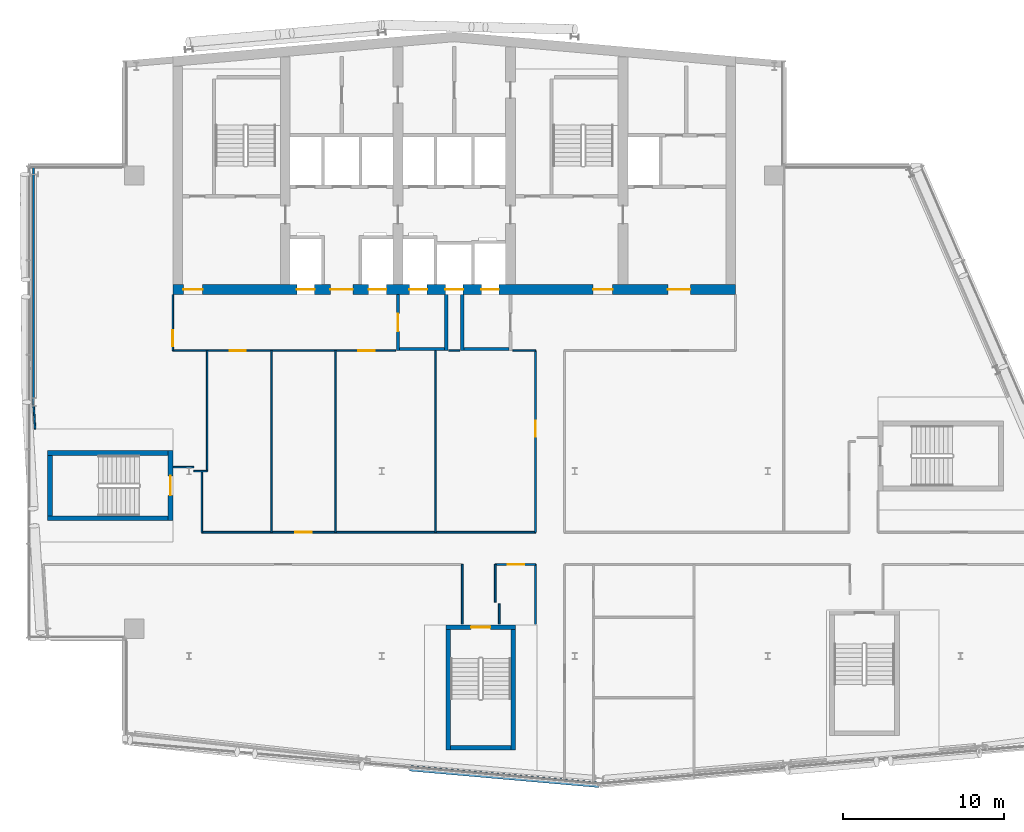
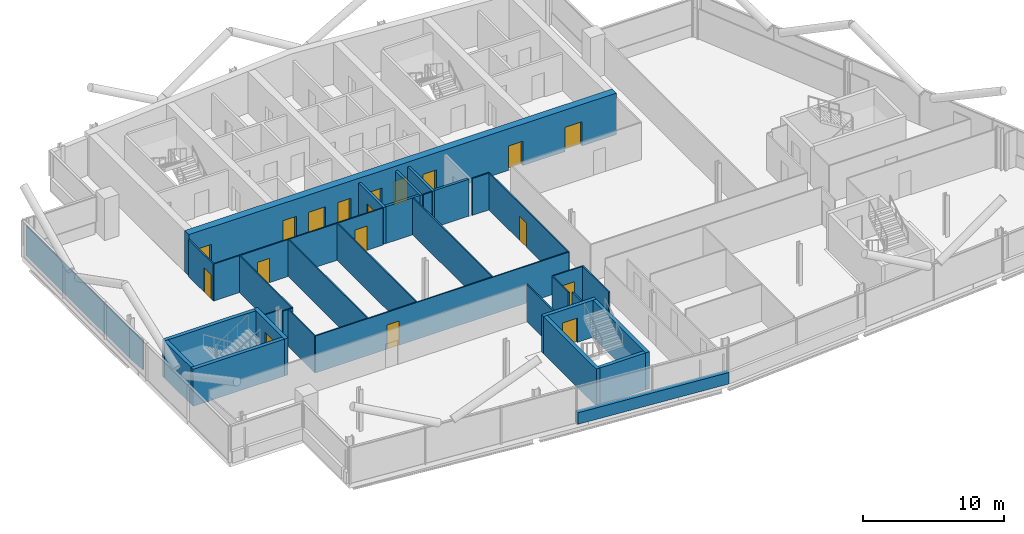
# One storey, part 15 of 26: 35 walls, 18 doors, 18 openings.
"""IFC4 building model written with IfcOpenShell, lengths in metres."""

import ifcopenshell
import ifcopenshell.guid

model = None  # the IFC model being written
_history = None  # IfcOwnerHistory: only IFC2X3 demands one
_inside = {}  # id of a spatial element -> (the spatial element, [elements in it])
_under = {}  # id of a project, library or spatial element -> (it, [spatial elements below it])
_declared = {}  # id of a project -> (the project, [libraries it declares])
_typed = {}  # id of a type object -> (the type object, [elements of that type])
_made_of = {}  # id of a material, layer set ... -> (it, [elements and type objects made of it])


def new_model(schema):
    """Start an empty IFC model of exactly this schema.

    Asked for "IFC4X3", IfcOpenShell would pick the latest addendum, in which some entities
    have other attributes; the version numbers below select the first issue.
    IFC2X3 requires an IfcOwnerHistory on every rooted entity: one is made here for all.
    """
    global model, _history
    if schema == "IFC4X3":
        model = ifcopenshell.file(schema_version=(4, 3, 0, 0))
    else:
        model = ifcopenshell.file(schema=schema)
    _inside.clear()
    _under.clear()
    _declared.clear()
    _typed.clear()
    _made_of.clear()
    _history = None
    if model.schema == "IFC2X3":
        org = make("IfcOrganization", Name="unknown")
        user = make(
            "IfcPersonAndOrganization",
            ThePerson=make("IfcPerson", FamilyName="unknown"),
            TheOrganization=org,
        )
        app = make(
            "IfcApplication",
            ApplicationDeveloper=org,
            Version="unknown",
            ApplicationFullName="unknown",
            ApplicationIdentifier="unknown",
        )
        _history = make(
            "IfcOwnerHistory",
            OwningUser=user,
            OwningApplication=app,
            ChangeAction="ADDED",
            CreationDate=0,
        )
    return model


def make(cls, **values):
    """One entity of the class cls with the attributes given. An attribute that is None is left unset."""
    return model.create_entity(
        cls, **{name: value for name, value in values.items() if value is not None}
    )


def rooted(cls, **values):
    """An entity with a GlobalId (a new one), such as an element, a storey or a relation."""
    return make(cls, GlobalId=ifcopenshell.guid.new(), OwnerHistory=_history, **values)


def si_unit(unit_type, name, prefix=None):
    """IfcSIUnit, for example si_unit("LENGTHUNIT", "METRE", prefix="MILLI")."""
    return make("IfcSIUnit", UnitType=unit_type, Prefix=prefix, Name=name)


def assignment(units):
    """IfcUnitAssignment: the units of a project."""
    return None if units is None else make("IfcUnitAssignment", Units=units)


def point(xyz):
    """IfcCartesianPoint."""
    return None if xyz is None else make("IfcCartesianPoint", Coordinates=xyz)


def direction(xyz):
    """IfcDirection."""
    return None if xyz is None else make("IfcDirection", DirectionRatios=xyz)


def frame(location, z_axis=None, x_axis=None):
    """IfcAxis2Placement3D, a coordinate frame: its origin and axes. An axis left out is left unset."""
    return make(
        "IfcAxis2Placement3D",
        Location=point(location),
        Axis=direction(z_axis),
        RefDirection=direction(x_axis),
    )


def frame_2d(location, x_axis=None):
    """IfcAxis2Placement2D, a coordinate frame in the plane: its origin and x axis."""
    return make(
        "IfcAxis2Placement2D", Location=point(location), RefDirection=direction(x_axis)
    )


def origin():
    """The frame at (0, 0, 0) with its axes left unset."""
    return frame((0.0, 0.0, 0.0))


def place(relative_to, where):
    """IfcLocalPlacement: puts the frame where relative to a parent placement (None: the world)."""
    return make(
        "IfcLocalPlacement", PlacementRelTo=relative_to, RelativePlacement=where
    )


def context(
    kind, dimensions, precision=None, world=None, true_north=None, identifier=None
):
    """IfcGeometricRepresentationContext, for example the 3D "Model" context."""
    return make(
        "IfcGeometricRepresentationContext",
        ContextIdentifier=identifier,
        ContextType=kind,
        CoordinateSpaceDimension=dimensions,
        Precision=precision,
        WorldCoordinateSystem=world,
        TrueNorth=true_north,
    )


def subcontext(parent, identifier, kind, view, scale=None):
    """IfcGeometricRepresentationSubContext, for example "Body" below "Model"."""
    return make(
        "IfcGeometricRepresentationSubContext",
        ContextIdentifier=identifier,
        ContextType=kind,
        ParentContext=parent,
        TargetScale=scale,
        TargetView=view,
    )


def project(units=None, contexts=None):
    """IfcProject with its units and contexts."""
    return rooted(
        "IfcProject",
        Name="project",
        RepresentationContexts=contexts,
        UnitsInContext=assignment(units),
    )


def spatial(cls, under=None, at=None, **own):
    """A site, building, storey or space (cls), placed at a placement, below another one or the project."""
    s = rooted(cls, ObjectPlacement=at, **own)
    if under is not None:
        _under.setdefault(under.id(), (under, []))[1].append(s)
    return s


def profile(cls, at=None, kind="AREA", **sizes):
    """A parametric profile (cls). Its sizes go by their IFC names, for example OverallWidth=200.0."""
    return make(cls, ProfileType=kind, Position=at, **sizes)


def rectangle(**sizes):
    """IfcRectangleProfileDef."""
    return profile("IfcRectangleProfileDef", **sizes)


def extrude(swept, where, along, depth):
    """IfcExtrudedAreaSolid: the profile swept, set in the frame where, extruded along a direction by depth."""
    return make(
        "IfcExtrudedAreaSolid",
        SweptArea=swept,
        Position=where,
        ExtrudedDirection=direction(along),
        Depth=depth,
    )


def shape(context_of_items, identifier, shape_type, items):
    """IfcShapeRepresentation: the items that make up one representation, for example the "Body"."""
    return make(
        "IfcShapeRepresentation",
        ContextOfItems=context_of_items,
        RepresentationIdentifier=identifier,
        RepresentationType=shape_type,
        Items=items,
    )


def material(Name=None, Category=None):
    """IfcMaterial."""
    return make("IfcMaterial", Name=Name, Category=Category)


def layer(
    of_material, thickness, ventilated=None, Name=None, Category=None, Priority=None
):
    """IfcMaterialLayer: one layer of a wall or slab, of a material (None: an air gap)."""
    return make(
        "IfcMaterialLayer",
        Material=of_material,
        LayerThickness=thickness,
        IsVentilated=ventilated,
        Name=Name,
        Category=Category,
        Priority=Priority,
    )


def layer_set(layers, Name=None):
    """IfcMaterialLayerSet."""
    return make("IfcMaterialLayerSet", MaterialLayers=layers, LayerSetName=Name)


def made_of(thing, what):
    """Note that an element or type object is made of a material, layer set ...; save() writes the relation."""
    if what is not None:
        _made_of.setdefault(what.id(), (what, []))[1].append(thing)
    return thing


def type_object(cls, material=None, **own):
    """A type object (cls), such as IfcWallType, which elements share."""
    return made_of(rooted(cls, **own), material)


def element(
    cls,
    number,
    at=None,
    inside=None,
    cuts=None,
    type_object=None,
    material=None,
    context=None,
    identifier="Body",
    shape_type=None,
    held_by="IfcProductDefinitionShape",
    body=None,
    shapes=None,
    **own,
):
    """One element of the class cls, such as IfcWall. Its Tag is "e" and its number.

    at: its placement. inside: the storey or other place that contains it. cuts: it is an
    opening in that element (IfcRelVoidsElement). A single representation is given by context,
    identifier, shape_type and body (its items); several are given by shapes. held_by: the class
    of the entity that holds the representations. save() writes the other relations.
    """
    e = rooted(cls, Tag="e%d" % number, ObjectPlacement=at, **own)
    if body is not None:
        shapes = [shape(context, identifier, shape_type, body)]
    if shapes is not None:
        e.Representation = make(held_by, Representations=shapes)
    if inside is not None:
        _inside.setdefault(inside.id(), (inside, []))[1].append(e)
    if cuts is not None:
        rooted(
            "IfcRelVoidsElement", RelatingBuildingElement=cuts, RelatedOpeningElement=e
        )
    if type_object is not None:
        _typed.setdefault(type_object.id(), (type_object, []))[1].append(e)
    return made_of(e, material)


def fill(opening, filler):
    """IfcRelFillsElement: the door or window that sits in an opening."""
    return rooted(
        "IfcRelFillsElement",
        RelatingOpeningElement=opening,
        RelatedBuildingElement=filler,
    )


def aggregate(whole, parts):
    """IfcRelAggregates: a whole, such as a stair, and the parts it consists of."""
    return rooted("IfcRelAggregates", RelatingObject=whole, RelatedObjects=parts)


def save(model, path):
    """Write the relations noted so far, then the file.

    IfcRelAggregates (storeys below a building ...), IfcRelContainedInSpatialStructure (elements
    in a storey), IfcRelDefinesByType, IfcRelAssociatesMaterial and IfcRelDeclares: one each for
    every whole, place, type object, material and project.
    """
    for whole, parts in _under.values():
        aggregate(whole, parts)
    for where, things in _inside.values():
        rooted(
            "IfcRelContainedInSpatialStructure",
            RelatedElements=things,
            RelatingStructure=where,
        )
    for kind, things in _typed.values():
        rooted("IfcRelDefinesByType", RelatedObjects=things, RelatingType=kind)
    for what, things in _made_of.values():
        rooted("IfcRelAssociatesMaterial", RelatedObjects=things, RelatingMaterial=what)
    for by, libraries in _declared.values():
        rooted("IfcRelDeclares", RelatingContext=by, RelatedDefinitions=libraries)
    model.write(path)


model = new_model("IFC4")

# Units and contexts
model_context = context("Model", 3, precision=1e-05, world=origin(), true_north=direction((0.0, 1.0)))
body_context = subcontext(model_context, "Body", "Model", "MODEL_VIEW")
ifc_project = project(units=[si_unit("LENGTHUNIT", "METRE"), si_unit("AREAUNIT", "SQUARE_METRE"), si_unit("VOLUMEUNIT", "CUBIC_METRE"), si_unit("PLANEANGLEUNIT", "RADIAN"), si_unit("MASSUNIT", "GRAM", prefix="KILO")], contexts=[model_context])

# Site, building, storey
site_placement = place(None, origin())
site = spatial("IfcSite", under=ifc_project, at=site_placement, CompositionType="ELEMENT")
building_placement = place(site_placement, origin())
building = spatial("IfcBuilding", under=site, at=building_placement, Name="Wharfspan Tower", CompositionType="ELEMENT")
storey_placement = place(building_placement, frame((0.0, 0.0, 214.300049)))
storey = spatial("IfcBuildingStorey", under=building, at=storey_placement, Name="L53", CompositionType="ELEMENT", Elevation=214.300049)

# Wall, opening, door
ifc_material_1 = material(Name="Gypsum board on steel studs", Category="steel")
ifc_layer_1 = layer(ifc_material_1, 0.100098)
ifc_layer_set_1 = layer_set([ifc_layer_1], Name="Gypsum board on steel studs")
wall_type_1 = type_object("IfcWallType", Name="Compartment wall 100 EI 60", PredefinedType="PARTITIONING", material=ifc_layer_set_1)
wall_1_placement = place(storey_placement, frame((23.0, 30.5, 0.0), z_axis=(0.0, 0.0, 1.0), x_axis=(0.0, 1.0, 0.0)))
wall_1 = element("IfcWall", 1, at=wall_1_placement, inside=storey, type_object=wall_type_1, Name="Partition L53.w005", PredefinedType="PARTITIONING", context=body_context, shape_type="SweptSolid", body=[
    extrude(rectangle(XDim=3.47998, YDim=0.100098, at=frame_2d((1.73999, 0.0))), origin(), (0.0, 0.0, 1.0), 3.199951),
])
opening_1_placement = place(wall_1_placement, frame((0.280029, 0.0, 0.0)))
opening_1 = element("IfcOpeningElement", 2, at=opening_1_placement, cuts=wall_1, Name="Opening D2-16", PredefinedType="OPENING", context=body_context, shape_type="SweptSolid", body=[
    extrude(rectangle(XDim=1.0, YDim=2.100098, at=frame_2d((0.5, 1.050049))), frame((0.0, 0.060059, 0.0), z_axis=(0.0, -1.0, 0.0), x_axis=(1.0, 0.0, 0.0)), (0.0, 0.0, 1.0), 0.120117),
])
ifc_material_2 = material(Name="Fire-rated timber door leaf in steel frame", Category="steel")
door_type_1 = type_object("IfcDoorType", Name="Door 1000 FD30S Left", OperationType="SINGLE_SWING_LEFT", PredefinedType="DOOR", material=ifc_material_2)
door_1_placement = place(opening_1_placement, origin())
door_1 = element("IfcDoor", 3, at=door_1_placement, inside=storey, type_object=door_type_1, Name="Door D2-16", OperationType="SINGLE_SWING_LEFT", OverallHeight=2.100098, OverallWidth=1.0, PredefinedType="DOOR", context=body_context, shape_type="SweptSolid", body=[
    extrude(rectangle(XDim=1.0, YDim=2.100098, at=frame_2d((0.5, 1.050049))), frame((0.0, 0.024902, 0.0), z_axis=(0.0, -1.0, 0.0), x_axis=(1.0, 0.0, 0.0)), (0.0, 0.0, 1.0), 0.050049),
])
fill(opening_1, door_1)

# Wall, openings, doors
wall_2_placement = place(storey_placement, frame((23.0, 30.5, 0.0), z_axis=(0.0, 0.0, 1.0), x_axis=(1.0, 0.0, 0.0)))
wall_2 = element("IfcWall", 4, at=wall_2_placement, inside=storey, type_object=wall_type_1, Name="Partition L53.w006", PredefinedType="PARTITIONING", context=body_context, shape_type="SweptSolid", body=[
    extrude(rectangle(XDim=13.850098, YDim=0.100098, at=frame_2d((6.925049, 0.0))), origin(), (0.0, 0.0, 1.0), 3.199951),
])
opening_2_placement = place(wall_2_placement, frame((3.544922, 0.0, 0.0)))
opening_2 = element("IfcOpeningElement", 5, at=opening_2_placement, cuts=wall_2, Name="Opening D2-13", PredefinedType="OPENING", context=body_context, shape_type="SweptSolid", body=[
    extrude(rectangle(XDim=1.0, YDim=2.100098, at=frame_2d((0.5, 1.050049))), frame((0.0, 0.060059, 0.0), z_axis=(0.0, -1.0, 0.0), x_axis=(1.0, 0.0, 0.0)), (0.0, 0.0, 1.0), 0.120117),
])
opening_3_placement = place(wall_2_placement, frame((11.544922, 0.0, 0.0)))
opening_3 = element("IfcOpeningElement", 6, at=opening_3_placement, cuts=wall_2, Name="Opening D2-14", PredefinedType="OPENING", context=body_context, shape_type="SweptSolid", body=[
    extrude(rectangle(XDim=1.0, YDim=2.100098, at=frame_2d((0.5, 1.050049))), frame((0.0, 0.060059, 0.0), z_axis=(0.0, -1.0, 0.0), x_axis=(1.0, 0.0, 0.0)), (0.0, 0.0, 1.0), 0.120117),
])
door_2_placement = place(opening_2_placement, origin())
door_2 = element("IfcDoor", 7, at=door_2_placement, inside=storey, type_object=door_type_1, Name="Door D2-13", OperationType="SINGLE_SWING_LEFT", OverallHeight=2.100098, OverallWidth=1.0, PredefinedType="DOOR", context=body_context, shape_type="SweptSolid", body=[
    extrude(rectangle(XDim=1.0, YDim=2.100098, at=frame_2d((0.5, 1.050049))), frame((0.0, 0.024902, 0.0), z_axis=(0.0, -1.0, 0.0), x_axis=(1.0, 0.0, 0.0)), (0.0, 0.0, 1.0), 0.050049),
])
fill(opening_2, door_2)
door_type_2 = type_object("IfcDoorType", Name="Door 1000 FD30S Right", OperationType="SINGLE_SWING_RIGHT", PredefinedType="DOOR", material=ifc_material_2)
door_3_placement = place(opening_3_placement, origin())
door_3 = element("IfcDoor", 8, at=door_3_placement, inside=storey, type_object=door_type_2, Name="Door D2-14", OperationType="SINGLE_SWING_RIGHT", OverallHeight=2.100098, OverallWidth=1.0, PredefinedType="DOOR", context=body_context, shape_type="SweptSolid", body=[
    extrude(rectangle(XDim=1.0, YDim=2.100098, at=frame_2d((0.5, 1.050049))), frame((0.0, 0.024902, 0.0), z_axis=(0.0, -1.0, 0.0), x_axis=(1.0, 0.0, 0.0)), (0.0, 0.0, 1.0), 0.050049),
])
fill(opening_3, door_3)

# Walls
wall_3_placement = place(storey_placement, frame((23.02002, 23.25, 0.0), z_axis=(0.0, 0.0, 1.0), x_axis=(1.0, 0.0, 0.0)))
element("IfcWall", 9, at=wall_3_placement, inside=storey, type_object=wall_type_1, Name="Partition L53.w007", PredefinedType="PARTITIONING", context=body_context, shape_type="SweptSolid", body=[
    extrude(rectangle(XDim=1.280029, YDim=0.100098, at=frame_2d((0.640137, 0.0))), origin(), (0.0, 0.0, 1.0), 3.199951),
])
wall_4_placement = place(storey_placement, frame((24.304932, 23.0, 0.0), z_axis=(0.0, 0.0, 1.0), x_axis=(1.0, 0.0, 0.0)))
element("IfcWall", 10, at=wall_4_placement, inside=storey, type_object=wall_type_1, Name="Partition L53.w008", PredefinedType="PARTITIONING", context=body_context, shape_type="SweptSolid", body=[
    extrude(rectangle(XDim=0.820068, YDim=0.100098, at=frame_2d((0.410156, 0.0))), origin(), (0.0, 0.0, 1.0), 3.199951),
])
wall_5_placement = place(storey_placement, frame((24.800049, 19.199951, 0.0), z_axis=(0.0, 0.0, 1.0), x_axis=(0.0, 1.0, 0.0)))
element("IfcWall", 11, at=wall_5_placement, inside=storey, type_object=wall_type_1, Name="Partition L53.w009", PredefinedType="PARTITIONING", context=body_context, shape_type="SweptSolid", body=[
    extrude(rectangle(XDim=3.800049, YDim=0.100098, at=frame_2d((1.899902, 0.0))), origin(), (0.0, 0.0, 1.0), 3.199951),
])

# Wall, opening, door
wall_6_placement = place(storey_placement, frame((24.800049, 19.199951, 0.0), z_axis=(0.0, 0.0, 1.0), x_axis=(1.0, 0.0, 0.0)))
wall_6 = element("IfcWall", 12, at=wall_6_placement, inside=storey, type_object=wall_type_1, Name="Partition L53.w010", PredefinedType="PARTITIONING", context=body_context, shape_type="SweptSolid", body=[
    extrude(rectangle(XDim=20.76001, YDim=0.100098, at=frame_2d((10.379883, 0.0))), origin(), (0.0, 0.0, 1.0), 3.199951),
])
opening_4_placement = place(wall_6_placement, frame((5.824951, 0.0, 0.0)))
opening_4 = element("IfcOpeningElement", 13, at=opening_4_placement, cuts=wall_6, Name="Opening D2-09", PredefinedType="OPENING", context=body_context, shape_type="SweptSolid", body=[
    extrude(rectangle(XDim=1.0, YDim=2.100098, at=frame_2d((0.5, 1.050049))), frame((0.0, 0.060059, 0.0), z_axis=(0.0, -1.0, 0.0), x_axis=(1.0, 0.0, 0.0)), (0.0, 0.0, 1.0), 0.120117),
])
door_4_placement = place(opening_4_placement, origin())
door_4 = element("IfcDoor", 14, at=door_4_placement, inside=storey, type_object=door_type_1, Name="Door D2-09", OperationType="SINGLE_SWING_LEFT", OverallHeight=2.100098, OverallWidth=1.0, PredefinedType="DOOR", context=body_context, shape_type="SweptSolid", body=[
    extrude(rectangle(XDim=1.0, YDim=2.100098, at=frame_2d((0.5, 1.050049))), frame((0.0, 0.024902, 0.0), z_axis=(0.0, -1.0, 0.0), x_axis=(1.0, 0.0, 0.0)), (0.0, 0.0, 1.0), 0.050049),
])
fill(opening_4, door_4)

# Walls
wall_7_placement = place(storey_placement, frame((25.125, 23.0, 0.0), z_axis=(0.0, 0.0, 1.0), x_axis=(0.0, 1.0, 0.0)))
element("IfcWall", 15, at=wall_7_placement, inside=storey, type_object=wall_type_1, Name="Partition L53.w011", PredefinedType="PARTITIONING", context=body_context, shape_type="SweptSolid", body=[
    extrude(rectangle(XDim=7.5, YDim=0.100098, at=frame_2d((3.75, 0.0))), origin(), (0.0, 0.0, 1.0), 3.199951),
])
for number, where, z_axis, x_axis, name in (
    (16, (29.125, 19.199951, 0.0), (0.0, 0.0, 1.0), (0.0, 1.0, 0.0), "Partition L53.w012"),
    (17, (33.125, 19.199951, 0.0), (0.0, 0.0, 1.0), (0.0, 1.0, 0.0), "Partition L53.w013"),
    (18, (39.344971, 19.199951, 0.0), (0.0, 0.0, 1.0), (0.0, 1.0, 0.0), "Partition L53.w015"),
):
    element("IfcWall", number, at=place(storey_placement, frame(where, z_axis=z_axis, x_axis=x_axis)), inside=storey, type_object=wall_type_1, Name=name, PredefinedType="PARTITIONING", context=body_context, shape_type="SweptSolid", body=[
        extrude(rectangle(XDim=11.300049, YDim=0.100098, at=frame_2d((5.649902, 0.0))), origin(), (0.0, 0.0, 1.0), 3.199951),
    ])
wall_8_placement = place(storey_placement, frame((41.0, 13.463135, 0.0), z_axis=(0.0, 0.0, 1.0), x_axis=(0.0, 1.0, 0.0)))
element("IfcWall", 19, at=wall_8_placement, inside=storey, type_object=wall_type_1, Name="Partition L53.w016", PredefinedType="PARTITIONING", context=body_context, shape_type="SweptSolid", body=[
    extrude(rectangle(XDim=3.731934, YDim=0.100098, at=frame_2d((1.865967, 0.0))), origin(), (0.0, 0.0, 1.0), 3.199951),
])
wall_9_placement = place(storey_placement, frame((43.054932, 14.860107, 0.0), z_axis=(0.0, 0.0, 1.0), x_axis=(0.0, 1.0, 0.0)))
element("IfcWall", 20, at=wall_9_placement, inside=storey, type_object=wall_type_1, Name="Partition L53.w017", PredefinedType="PARTITIONING", context=body_context, shape_type="SweptSolid", body=[
    extrude(rectangle(XDim=2.334961, YDim=0.100098, at=frame_2d((1.16748, 0.0))), origin(), (0.0, 0.0, 1.0), 3.199951),
])

# Wall, opening, door
wall_10_placement = place(storey_placement, frame((43.054932, 17.195068, 0.0), z_axis=(0.0, 0.0, 1.0), x_axis=(1.0, 0.0, 0.0)))
wall_10 = element("IfcWall", 21, at=wall_10_placement, inside=storey, type_object=wall_type_1, Name="Partition L53.w018", PredefinedType="PARTITIONING", context=body_context, shape_type="SweptSolid", body=[
    extrude(rectangle(XDim=2.505127, YDim=0.100098, at=frame_2d((1.252441, 0.0))), origin(), (0.0, 0.0, 1.0), 3.199951),
])
opening_5_placement = place(wall_10_placement, frame((0.789307, 0.0, 0.0)))
opening_5 = element("IfcOpeningElement", 22, at=opening_5_placement, cuts=wall_10, Name="Opening D2-07", PredefinedType="OPENING", context=body_context, shape_type="SweptSolid", body=[
    extrude(rectangle(XDim=1.0, YDim=2.100098, at=frame_2d((0.5, 1.050049))), frame((0.0, 0.060059, 0.0), z_axis=(0.0, -1.0, 0.0), x_axis=(1.0, 0.0, 0.0)), (0.0, 0.0, 1.0), 0.120117),
])
door_5_placement = place(opening_5_placement, origin())
door_5 = element("IfcDoor", 23, at=door_5_placement, inside=storey, type_object=door_type_2, Name="Door D2-07", OperationType="SINGLE_SWING_RIGHT", OverallHeight=2.100098, OverallWidth=1.0, PredefinedType="DOOR", context=body_context, shape_type="SweptSolid", body=[
    extrude(rectangle(XDim=1.0, YDim=2.100098, at=frame_2d((0.5, 1.050049))), frame((0.0, 0.024902, 0.0), z_axis=(0.0, -1.0, 0.0), x_axis=(1.0, 0.0, 0.0)), (0.0, 0.0, 1.0), 0.050049),
])
fill(opening_5, door_5)

# Walls
wall_11_placement = place(storey_placement, frame((43.304932, 13.463135, 0.0), z_axis=(0.0, 0.0, 1.0), x_axis=(0.0, 1.0, 0.0)))
element("IfcWall", 24, at=wall_11_placement, inside=storey, type_object=wall_type_1, Name="Partition L53.w019", PredefinedType="PARTITIONING", context=body_context, shape_type="SweptSolid", body=[
    extrude(rectangle(XDim=1.281982, YDim=0.100098, at=frame_2d((0.641113, 0.0))), origin(), (0.0, 0.0, 1.0), 3.199951),
])
wall_12_placement = place(storey_placement, frame((45.560059, 13.463135, 0.0), z_axis=(0.0, 0.0, 1.0), x_axis=(0.0, 1.0, 0.0)))
element("IfcWall", 25, at=wall_12_placement, inside=storey, type_object=wall_type_1, Name="Partition L53.w020", PredefinedType="PARTITIONING", context=body_context, shape_type="SweptSolid", body=[
    extrude(rectangle(XDim=3.731934, YDim=0.100098, at=frame_2d((1.865967, 0.0))), origin(), (0.0, 0.0, 1.0), 3.199951),
])

# Wall, opening, door
wall_13_placement = place(storey_placement, frame((45.560059, 19.199951, 0.0), z_axis=(0.0, 0.0, 1.0), x_axis=(0.0, 1.0, 0.0)))
wall_13 = element("IfcWall", 26, at=wall_13_placement, inside=storey, type_object=wall_type_1, Name="Partition L53.w021", PredefinedType="PARTITIONING", context=body_context, shape_type="SweptSolid", body=[
    extrude(rectangle(XDim=11.300049, YDim=0.100098, at=frame_2d((5.649902, 0.0))), origin(), (0.0, 0.0, 1.0), 3.199951),
])
opening_6_placement = place(wall_13_placement, frame((5.939941, 0.0, 0.0)))
opening_6 = element("IfcOpeningElement", 27, at=opening_6_placement, cuts=wall_13, Name="Opening D2-12", PredefinedType="OPENING", context=body_context, shape_type="SweptSolid", body=[
    extrude(rectangle(XDim=1.0, YDim=2.100098, at=frame_2d((0.5, 1.050049))), frame((0.0, 0.060059, 0.0), z_axis=(0.0, -1.0, 0.0), x_axis=(1.0, 0.0, 0.0)), (0.0, 0.0, 1.0), 0.120117),
])
door_6_placement = place(opening_6_placement, origin())
door_6 = element("IfcDoor", 28, at=door_6_placement, inside=storey, type_object=door_type_2, Name="Door D2-12", OperationType="SINGLE_SWING_RIGHT", OverallHeight=2.100098, OverallWidth=1.0, PredefinedType="DOOR", context=body_context, shape_type="SweptSolid", body=[
    extrude(rectangle(XDim=1.0, YDim=2.100098, at=frame_2d((0.5, 1.050049))), frame((0.0, 0.024902, 0.0), z_axis=(0.0, -1.0, 0.0), x_axis=(1.0, 0.0, 0.0)), (0.0, 0.0, 1.0), 0.050049),
])
fill(opening_6, door_6)

# Walls
wall_14_placement = place(storey_placement, frame((40.149902, 30.5, 0.0), z_axis=(0.0, 0.0, 1.0), x_axis=(1.0, 0.0, 0.0)))
element("IfcWall", 29, at=wall_14_placement, inside=storey, type_object=wall_type_1, Name="Partition L53.w006 (2)", PredefinedType="PARTITIONING", context=body_context, shape_type="SweptSolid", body=[
    extrude(rectangle(XDim=0.700195, YDim=0.100098, at=frame_2d((0.350098, 0.0))), origin(), (0.0, 0.0, 1.0), 3.199951),
])
wall_15_placement = place(storey_placement, frame((44.149902, 30.5, 0.0), z_axis=(0.0, 0.0, 1.0), x_axis=(1.0, 0.0, 0.0)))
element("IfcWall", 30, at=wall_15_placement, inside=storey, type_object=wall_type_1, Name="Partition L53.w006 (3)", PredefinedType="PARTITIONING", context=body_context, shape_type="SweptSolid", body=[
    extrude(rectangle(XDim=1.410156, YDim=0.100098, at=frame_2d((0.705078, 0.0))), origin(), (0.0, 0.0, 1.0), 3.199951),
])

# Wall, openings, doors
ifc_material_3 = material(Name="Concrete C50/60", Category="concrete")
ifc_layer_2 = layer(ifc_material_3, 0.600098)
ifc_layer_set_2 = layer_set([ifc_layer_2], Name="Concrete C50/60")
wall_type_2 = type_object("IfcWallType", Name="Core wall 600 C50/60", PredefinedType="SHEAR", material=ifc_layer_set_2)
wall_16_placement = place(storey_placement, frame((23.0, 34.300049, 0.0), z_axis=(0.0, 0.0, 1.0), x_axis=(1.0, 0.0, 0.0)))
wall_16 = element("IfcWall", 31, at=wall_16_placement, inside=storey, type_object=wall_type_2, Name="Core front wall L53", PredefinedType="SHEAR", context=body_context, shape_type="SweptSolid", body=[
    extrude(rectangle(XDim=35.0, YDim=0.600098, at=frame_2d((17.5, 0.0))), origin(), (0.0, 0.0, 1.0), 3.599854),
])
opening_7_placement = place(wall_16_placement, frame((0.649902, 0.0, 0.0)))
opening_7 = element("IfcOpeningElement", 32, at=opening_7_placement, cuts=wall_16, Name="Opening SV2.L53", PredefinedType="OPENING", context=body_context, shape_type="SweptSolid", body=[
    extrude(rectangle(XDim=1.199951, YDim=2.100098, at=frame_2d((0.600098, 1.050049))), frame((0.0, 0.310059, 0.0), z_axis=(0.0, -1.0, 0.0), x_axis=(1.0, 0.0, 0.0)), (0.0, 0.0, 1.0), 0.620117),
])
opening_8_placement = place(wall_16_placement, frame((7.716797, 0.0, 0.0)))
opening_8 = element("IfcOpeningElement", 33, at=opening_8_placement, cuts=wall_16, Name="Opening LD.SL1.L53", PredefinedType="OPENING", context=body_context, shape_type="SweptSolid", body=[
    extrude(rectangle(XDim=1.100098, YDim=2.100098, at=frame_2d((0.550049, 1.050049))), frame((0.0, 0.310059, 0.0), z_axis=(0.0, -1.0, 0.0), x_axis=(1.0, 0.0, 0.0)), (0.0, 0.0, 1.0), 0.620117),
])
opening_9_placement = place(wall_16_placement, frame((12.18335, 0.0, 0.0)))
opening_9 = element("IfcOpeningElement", 34, at=opening_9_placement, cuts=wall_16, Name="Opening LD.SL2.L53", PredefinedType="OPENING", context=body_context, shape_type="SweptSolid", body=[
    extrude(rectangle(XDim=1.100098, YDim=2.100098, at=frame_2d((0.550049, 1.050049))), frame((0.0, 0.310059, 0.0), z_axis=(0.0, -1.0, 0.0), x_axis=(1.0, 0.0, 0.0)), (0.0, 0.0, 1.0), 0.620117),
])
opening_10_placement = place(wall_16_placement, frame((9.800049, 0.0, 0.0)))
opening_10 = element("IfcOpeningElement", 35, at=opening_10_placement, cuts=wall_16, Name="Opening HD53.3", PredefinedType="OPENING", context=body_context, shape_type="SweptSolid", body=[
    extrude(rectangle(XDim=1.399902, YDim=2.100098, at=frame_2d((0.699951, 1.050049))), frame((0.0, 0.310059, 0.0), z_axis=(0.0, -1.0, 0.0), x_axis=(1.0, 0.0, 0.0)), (0.0, 0.0, 1.0), 0.620117),
])
opening_11_placement = place(wall_16_placement, frame((14.716797, 0.0, 0.0)))
opening_11 = element("IfcOpeningElement", 36, at=opening_11_placement, cuts=wall_16, Name="Opening LD.FF1.L53", PredefinedType="OPENING", context=body_context, shape_type="SweptSolid", body=[
    extrude(rectangle(XDim=1.100098, YDim=2.100098, at=frame_2d((0.550049, 1.050049))), frame((0.0, 0.310059, 0.0), z_axis=(0.0, -1.0, 0.0), x_axis=(1.0, 0.0, 0.0)), (0.0, 0.0, 1.0), 0.620117),
])
opening_12_placement = place(wall_16_placement, frame((16.949951, 0.0, 0.0)))
opening_12 = element("IfcOpeningElement", 37, at=opening_12_placement, cuts=wall_16, Name="Opening LD.LB7.L53", PredefinedType="OPENING", context=body_context, shape_type="SweptSolid", body=[
    extrude(rectangle(XDim=1.100098, YDim=2.100098, at=frame_2d((0.550049, 1.050049))), frame((0.0, 0.310059, 0.0), z_axis=(0.0, -1.0, 0.0), x_axis=(1.0, 0.0, 0.0)), (0.0, 0.0, 1.0), 0.620117),
])
opening_13_placement = place(wall_16_placement, frame((19.18335, 0.0, 0.0)))
opening_13 = element("IfcOpeningElement", 38, at=opening_13_placement, cuts=wall_16, Name="Opening LD.FF2.L53", PredefinedType="OPENING", context=body_context, shape_type="SweptSolid", body=[
    extrude(rectangle(XDim=1.100098, YDim=2.100098, at=frame_2d((0.550049, 1.050049))), frame((0.0, 0.310059, 0.0), z_axis=(0.0, -1.0, 0.0), x_axis=(1.0, 0.0, 0.0)), (0.0, 0.0, 1.0), 0.620117),
])
opening_14_placement = place(wall_16_placement, frame((26.149902, 0.0, 0.0)))
opening_14 = element("IfcOpeningElement", 39, at=opening_14_placement, cuts=wall_16, Name="Opening SV5.L53", PredefinedType="OPENING", context=body_context, shape_type="SweptSolid", body=[
    extrude(rectangle(XDim=1.199951, YDim=2.100098, at=frame_2d((0.600098, 1.050049))), frame((0.0, 0.310059, 0.0), z_axis=(0.0, -1.0, 0.0), x_axis=(1.0, 0.0, 0.0)), (0.0, 0.0, 1.0), 0.620117),
])
opening_15_placement = place(wall_16_placement, frame((30.800049, 0.0, 0.0)))
opening_15 = element("IfcOpeningElement", 40, at=opening_15_placement, cuts=wall_16, Name="Opening HD53.6", PredefinedType="OPENING", context=body_context, shape_type="SweptSolid", body=[
    extrude(rectangle(XDim=1.399902, YDim=2.100098, at=frame_2d((0.699951, 1.050049))), frame((0.0, 0.310059, 0.0), z_axis=(0.0, -1.0, 0.0), x_axis=(1.0, 0.0, 0.0)), (0.0, 0.0, 1.0), 0.620117),
])
ifc_material_4 = material(Name="Steel door leaf", Category="steel")
door_type_3 = type_object("IfcDoorType", Name="Hall entry door 1400x2100", OperationType="DOUBLE_DOOR_SINGLE_SWING", PredefinedType="DOOR", material=ifc_material_4)
door_7_placement = place(opening_10_placement, origin())
door_7 = element("IfcDoor", 41, at=door_7_placement, inside=storey, type_object=door_type_3, Name="d:L53:3:hd3", OperationType="DOUBLE_DOOR_SINGLE_SWING", OverallHeight=2.100098, OverallWidth=1.399902, PredefinedType="DOOR", context=body_context, shape_type="SweptSolid", body=[
    extrude(rectangle(XDim=1.399902, YDim=2.100098, at=frame_2d((0.699951, 1.050049))), frame((0.0, 0.024902, 0.0), z_axis=(0.0, -1.0, 0.0), x_axis=(1.0, 0.0, 0.0)), (0.0, 0.0, 1.0), 0.050049),
])
fill(opening_10, door_7)
door_8_placement = place(opening_15_placement, origin())
door_8 = element("IfcDoor", 42, at=door_8_placement, inside=storey, type_object=door_type_3, Name="d:L53:6:hd6", OperationType="DOUBLE_DOOR_SINGLE_SWING", OverallHeight=2.100098, OverallWidth=1.399902, PredefinedType="DOOR", context=body_context, shape_type="SweptSolid", body=[
    extrude(rectangle(XDim=1.399902, YDim=2.100098, at=frame_2d((0.699951, 1.050049))), frame((0.0, 0.024902, 0.0), z_axis=(0.0, -1.0, 0.0), x_axis=(1.0, 0.0, 0.0)), (0.0, 0.0, 1.0), 0.050049),
])
fill(opening_15, door_8)
ifc_material_5 = material(Name="Stainless steel", Category="steel")
door_type_4 = type_object("IfcDoorType", Name="Lift landing door 1100x2100", OperationType="DOUBLE_DOOR_SLIDING", PredefinedType="DOOR", material=ifc_material_5)
door_9_placement = place(opening_8_placement, origin())
door_9 = element("IfcDoor", 43, at=door_9_placement, inside=storey, type_object=door_type_4, Name="Landing door SL1 L53", OperationType="DOUBLE_DOOR_SLIDING", OverallHeight=2.100098, OverallWidth=1.100098, PredefinedType="DOOR", context=body_context, shape_type="SweptSolid", body=[
    extrude(rectangle(XDim=1.100098, YDim=2.100098, at=frame_2d((0.550049, 1.050049))), frame((0.0, 0.024902, 0.0), z_axis=(0.0, -1.0, 0.0), x_axis=(1.0, 0.0, 0.0)), (0.0, 0.0, 1.0), 0.050049),
])
fill(opening_8, door_9)
door_10_placement = place(opening_9_placement, origin())
door_10 = element("IfcDoor", 44, at=door_10_placement, inside=storey, type_object=door_type_4, Name="Landing door SL2 L53", OperationType="DOUBLE_DOOR_SLIDING", OverallHeight=2.100098, OverallWidth=1.100098, PredefinedType="DOOR", context=body_context, shape_type="SweptSolid", body=[
    extrude(rectangle(XDim=1.100098, YDim=2.100098, at=frame_2d((0.550049, 1.050049))), frame((0.0, 0.024902, 0.0), z_axis=(0.0, -1.0, 0.0), x_axis=(1.0, 0.0, 0.0)), (0.0, 0.0, 1.0), 0.050049),
])
fill(opening_9, door_10)
door_11_placement = place(opening_11_placement, origin())
door_11 = element("IfcDoor", 45, at=door_11_placement, inside=storey, type_object=door_type_4, Name="Landing door FF1 L53", OperationType="DOUBLE_DOOR_SLIDING", OverallHeight=2.100098, OverallWidth=1.100098, PredefinedType="DOOR", context=body_context, shape_type="SweptSolid", body=[
    extrude(rectangle(XDim=1.100098, YDim=2.100098, at=frame_2d((0.550049, 1.050049))), frame((0.0, 0.024902, 0.0), z_axis=(0.0, -1.0, 0.0), x_axis=(1.0, 0.0, 0.0)), (0.0, 0.0, 1.0), 0.050049),
])
fill(opening_11, door_11)
door_12_placement = place(opening_12_placement, origin())
door_12 = element("IfcDoor", 46, at=door_12_placement, inside=storey, type_object=door_type_4, Name="Landing door LB7 L53", OperationType="DOUBLE_DOOR_SLIDING", OverallHeight=2.100098, OverallWidth=1.100098, PredefinedType="DOOR", context=body_context, shape_type="SweptSolid", body=[
    extrude(rectangle(XDim=1.100098, YDim=2.100098, at=frame_2d((0.550049, 1.050049))), frame((0.0, 0.024902, 0.0), z_axis=(0.0, -1.0, 0.0), x_axis=(1.0, 0.0, 0.0)), (0.0, 0.0, 1.0), 0.050049),
])
fill(opening_12, door_12)
door_13_placement = place(opening_13_placement, origin())
door_13 = element("IfcDoor", 47, at=door_13_placement, inside=storey, type_object=door_type_4, Name="Landing door FF2 L53", OperationType="DOUBLE_DOOR_SLIDING", OverallHeight=2.100098, OverallWidth=1.100098, PredefinedType="DOOR", context=body_context, shape_type="SweptSolid", body=[
    extrude(rectangle(XDim=1.100098, YDim=2.100098, at=frame_2d((0.550049, 1.050049))), frame((0.0, 0.024902, 0.0), z_axis=(0.0, -1.0, 0.0), x_axis=(1.0, 0.0, 0.0)), (0.0, 0.0, 1.0), 0.050049),
])
fill(opening_13, door_13)
door_type_5 = type_object("IfcDoorType", Name="Stair door 1200x2100", OperationType="SINGLE_SWING_LEFT", PredefinedType="DOOR", material=ifc_material_4)
door_14_placement = place(opening_7_placement, origin())
door_14 = element("IfcDoor", 48, at=door_14_placement, inside=storey, type_object=door_type_5, Name="vd:L53:2", OperationType="SINGLE_SWING_LEFT", OverallHeight=2.100098, OverallWidth=1.199951, PredefinedType="DOOR", context=body_context, shape_type="SweptSolid", body=[
    extrude(rectangle(XDim=1.199951, YDim=2.100098, at=frame_2d((0.600098, 1.050049))), frame((0.0, 0.024902, 0.0), z_axis=(0.0, -1.0, 0.0), x_axis=(1.0, 0.0, 0.0)), (0.0, 0.0, 1.0), 0.050049),
])
fill(opening_7, door_14)
door_15_placement = place(opening_14_placement, origin())
door_15 = element("IfcDoor", 49, at=door_15_placement, inside=storey, type_object=door_type_5, Name="vd:L53:5", OperationType="SINGLE_SWING_LEFT", OverallHeight=2.100098, OverallWidth=1.199951, PredefinedType="DOOR", context=body_context, shape_type="SweptSolid", body=[
    extrude(rectangle(XDim=1.199951, YDim=2.100098, at=frame_2d((0.600098, 1.050049))), frame((0.0, 0.024902, 0.0), z_axis=(0.0, -1.0, 0.0), x_axis=(1.0, 0.0, 0.0)), (0.0, 0.0, 1.0), 0.050049),
])
fill(opening_14, door_15)

# Wall, opening, door
ifc_material_6 = material(Name="Concrete C30/37", Category="concrete")
ifc_layer_3 = layer(ifc_material_6, 0.199951)
ifc_layer_set_3 = layer_set([ifc_layer_3], Name="Concrete C30/37")
wall_type_3 = type_object("IfcWallType", Name="Lobby wall 200", PredefinedType="PARTITIONING", material=ifc_layer_set_3)
wall_17_placement = place(storey_placement, frame((37.0, 30.5, 0.0), z_axis=(0.0, 0.0, 1.0), x_axis=(0.0, 1.0, 0.0)))
wall_17 = element("IfcWall", 50, at=wall_17_placement, inside=storey, type_object=wall_type_3, Name="sw:L53:FLFF1W", PredefinedType="PARTITIONING", context=body_context, shape_type="SweptSolid", body=[
    extrude(rectangle(XDim=3.5, YDim=0.199951, at=frame_2d((1.75, 0.0))), origin(), (0.0, 0.0, 1.0), 3.199951),
])
opening_16_placement = place(wall_17_placement, frame((1.199951, 0.0, 0.0)))
opening_16 = element("IfcOpeningElement", 51, at=opening_16_placement, cuts=wall_17, Name="Opening FL.FF1.L53", PredefinedType="OPENING", context=body_context, shape_type="SweptSolid", body=[
    extrude(rectangle(XDim=1.100098, YDim=2.100098, at=frame_2d((0.550049, 1.050049))), frame((0.0, 0.109863, 0.0), z_axis=(0.0, -1.0, 0.0), x_axis=(1.0, 0.0, 0.0)), (0.0, 0.0, 1.0), 0.219971),
])
door_type_6 = type_object("IfcDoorType", Name="Firefighting lobby door 1100x2100", OperationType="SINGLE_SWING_LEFT", PredefinedType="DOOR", material=ifc_material_4)
door_16_placement = place(opening_16_placement, origin())
door_16 = element("IfcDoor", 52, at=door_16_placement, inside=storey, type_object=door_type_6, Name="fd:L53:FF1", OperationType="SINGLE_SWING_LEFT", OverallHeight=2.100098, OverallWidth=1.100098, PredefinedType="DOOR", context=body_context, shape_type="SweptSolid", body=[
    extrude(rectangle(XDim=1.100098, YDim=2.100098, at=frame_2d((0.550049, 1.050049))), frame((0.0, 0.024902, 0.0), z_axis=(0.0, -1.0, 0.0), x_axis=(1.0, 0.0, 0.0)), (0.0, 0.0, 1.0), 0.050049),
])
fill(opening_16, door_16)

# Walls
wall_18_placement = place(storey_placement, frame((40.0, 30.5, 0.0), z_axis=(0.0, 0.0, 1.0), x_axis=(0.0, 1.0, 0.0)))
element("IfcWall", 53, at=wall_18_placement, inside=storey, type_object=wall_type_3, Name="sw:L53:FLFF1E", PredefinedType="PARTITIONING", context=body_context, shape_type="SweptSolid", body=[
    extrude(rectangle(XDim=3.5, YDim=0.199951, at=frame_2d((1.75, 0.0))), origin(), (0.0, 0.0, 1.0), 3.199951),
])
wall_19_placement = place(storey_placement, frame((37.100098, 30.600098, 0.0), z_axis=(0.0, 0.0, 1.0), x_axis=(1.0, 0.0, 0.0)))
element("IfcWall", 54, at=wall_19_placement, inside=storey, type_object=wall_type_3, Name="sw:L53:FLFF1F", PredefinedType="PARTITIONING", context=body_context, shape_type="SweptSolid", body=[
    extrude(rectangle(XDim=2.799805, YDim=0.199951, at=frame_2d((1.399902, 0.0))), origin(), (0.0, 0.0, 1.0), 3.199951),
])
wall_20_placement = place(storey_placement, frame((41.0, 30.5, 0.0), z_axis=(0.0, 0.0, 1.0), x_axis=(0.0, 1.0, 0.0)))
element("IfcWall", 55, at=wall_20_placement, inside=storey, type_object=wall_type_3, Name="sw:L53:FLFF2W", PredefinedType="PARTITIONING", context=body_context, shape_type="SweptSolid", body=[
    extrude(rectangle(XDim=3.5, YDim=0.199951, at=frame_2d((1.75, 0.0))), origin(), (0.0, 0.0, 1.0), 3.199951),
])
wall_21_placement = place(storey_placement, frame((41.100098, 30.600098, 0.0), z_axis=(0.0, 0.0, 1.0), x_axis=(1.0, 0.0, 0.0)))
element("IfcWall", 56, at=wall_21_placement, inside=storey, type_object=wall_type_3, Name="sw:L53:FLFF2F", PredefinedType="PARTITIONING", context=body_context, shape_type="SweptSolid", body=[
    extrude(rectangle(XDim=2.799805, YDim=0.199951, at=frame_2d((1.399902, 0.0))), origin(), (0.0, 0.0, 1.0), 3.199951),
])
ifc_layer_4 = layer(ifc_material_1, 0.100098)
ifc_layer_set_4 = layer_set([ifc_layer_4], Name="Gypsum board on steel studs")
wall_type_4 = type_object("IfcWallType", Name="Partition 100", PredefinedType="PARTITIONING", material=ifc_layer_set_4)
wall_22_placement = place(storey_placement, frame((14.324951, 27.300049, 0.0), z_axis=(0.0, 0.0, 1.0), x_axis=(0.0, 1.0, 0.0)))
element("IfcWall", 57, at=wall_22_placement, inside=storey, type_object=wall_type_4, Name="Partition L53.w001", PredefinedType="PARTITIONING", context=body_context, shape_type="SweptSolid", body=[
    extrude(rectangle(XDim=14.679932, YDim=0.100098, at=frame_2d((7.339844, 0.0))), origin(), (0.0, 0.0, 1.0), 2.579834),
])
wall_23_placement = place(storey_placement, frame((14.428711, 25.620117, 0.0), z_axis=(0.0, 0.0, 1.0), x_axis=(-0.061647, 0.998101, 0.0)))
element("IfcWall", 58, at=wall_23_placement, inside=storey, type_object=wall_type_4, Name="Partition L53.w002", PredefinedType="PARTITIONING", context=body_context, shape_type="SweptSolid", body=[
    extrude(rectangle(XDim=1.683105, YDim=0.100098, at=frame_2d((0.841553, 0.0))), origin(), (0.0, 0.0, 1.0), 2.579834),
])
ifc_material_7 = material(Name="Concrete C40/50", Category="concrete")
ifc_layer_5 = layer(ifc_material_7, 0.350098)
ifc_layer_set_5 = layer_set([ifc_layer_5], Name="Concrete C40/50")
wall_type_5 = type_object("IfcWallType", Name="SPANDREL EXPOSED CONCRETE 350", PredefinedType="SOLIDWALL", material=ifc_layer_set_5)
wall_24_placement = place(storey_placement, frame((37.729492, 4.519043, 0.0), z_axis=(0.0, 0.0, 1.0), x_axis=(0.99619, -0.087167, 0.0)))
element("IfcWall", 59, at=wall_24_placement, inside=storey, type_object=wall_type_5, Name="Spandrel upstand L53 S1", PredefinedType="SOLIDWALL", context=body_context, shape_type="SweptSolid", body=[
    extrude(rectangle(XDim=11.830566, YDim=0.350098, at=frame_2d((5.915283, 0.0))), origin(), (0.0, 0.0, 1.0), 1.0),
])

# Wall, opening, door
ifc_layer_6 = layer(ifc_material_7, 0.300049)
ifc_layer_set_6 = layer_set([ifc_layer_6], Name="Concrete C40/50")
wall_type_6 = type_object("IfcWallType", Name="Stair core wall 300", PredefinedType="SHEAR", material=ifc_layer_set_6)
wall_25_placement = place(storey_placement, frame((22.850098, 19.925049, 0.0), z_axis=(0.0, 0.0, 1.0), x_axis=(0.0, 1.0, 0.0)))
wall_25 = element("IfcWall", 60, at=wall_25_placement, inside=storey, type_object=wall_type_6, Name="ST3 stair enclosure wall L53", PredefinedType="SHEAR", context=body_context, shape_type="SweptSolid", body=[
    extrude(rectangle(XDim=4.349854, YDim=0.300049, at=frame_2d((2.174805, 0.0))), origin(), (0.0, 0.0, 1.0), 3.199951),
])
opening_17_placement = place(wall_25_placement, frame((1.574951, 0.0, 0.0)))
opening_17 = element("IfcOpeningElement", 61, at=opening_17_placement, cuts=wall_25, Name="Opening SD3.L53", PredefinedType="OPENING", context=body_context, shape_type="SweptSolid", body=[
    extrude(rectangle(XDim=1.199951, YDim=2.100098, at=frame_2d((0.600098, 1.050049))), frame((0.0, 0.159912, 0.0), z_axis=(0.0, -1.0, 0.0), x_axis=(1.0, 0.0, 0.0)), (0.0, 0.0, 1.0), 0.320068),
])
door_17_placement = place(opening_17_placement, origin())
door_17 = element("IfcDoor", 62, at=door_17_placement, inside=storey, type_object=door_type_5, Name="sd:L53:ST3z4", OperationType="SINGLE_SWING_RIGHT", OverallHeight=2.100098, OverallWidth=1.199951, PredefinedType="DOOR", context=body_context, shape_type="SweptSolid", body=[
    extrude(rectangle(XDim=1.199951, YDim=2.100098, at=frame_2d((0.600098, 1.050049))), frame((0.0, 0.024902, 0.0), z_axis=(0.0, -1.0, 0.0), x_axis=(1.0, 0.0, 0.0)), (0.0, 0.0, 1.0), 0.050049),
])
fill(opening_17, door_17)

wall_26_placement = place(storey_placement, frame((39.977051, 13.293213, 0.0), z_axis=(0.0, 0.0, 1.0), x_axis=(1.0, 0.0, 0.0)))
wall_26 = element("IfcWall", 63, at=wall_26_placement, inside=storey, type_object=wall_type_6, Name="ST4 stair enclosure wall L53", PredefinedType="SHEAR", context=body_context, shape_type="SweptSolid", body=[
    extrude(rectangle(XDim=4.350098, YDim=0.300049, at=frame_2d((2.175049, 0.0))), origin(), (0.0, 0.0, 1.0), 3.199951),
])
opening_18_placement = place(wall_26_placement, frame((1.574951, 0.0, 0.0)))
opening_18 = element("IfcOpeningElement", 64, at=opening_18_placement, cuts=wall_26, Name="Opening SD4.L53", PredefinedType="OPENING", context=body_context, shape_type="SweptSolid", body=[
    extrude(rectangle(XDim=1.199951, YDim=2.100098, at=frame_2d((0.600098, 1.050049))), frame((0.0, 0.159912, 0.0), z_axis=(0.0, -1.0, 0.0), x_axis=(1.0, 0.0, 0.0)), (0.0, 0.0, 1.0), 0.320068),
])
door_18_placement = place(opening_18_placement, origin())
door_18 = element("IfcDoor", 65, at=door_18_placement, inside=storey, type_object=door_type_5, Name="sd:L53:ST4z4", OperationType="SINGLE_SWING_RIGHT", OverallHeight=2.100098, OverallWidth=1.199951, PredefinedType="DOOR", context=body_context, shape_type="SweptSolid", body=[
    extrude(rectangle(XDim=1.199951, YDim=2.100098, at=frame_2d((0.600098, 1.050049))), frame((0.0, 0.024902, 0.0), z_axis=(0.0, -1.0, 0.0), x_axis=(1.0, 0.0, 0.0)), (0.0, 0.0, 1.0), 0.050049),
])
fill(opening_18, door_18)

# Walls
for number, where, z_axis, x_axis, name in (
    (66, (15.199951, 20.074951, 0.0), (0.0, 0.0, 1.0), (1.0, 0.0, 0.0), "ST3 stair enclosure wall L53"),
    (67, (15.199951, 24.125, 0.0), (0.0, 0.0, 1.0), (1.0, 0.0, 0.0), "ST3 stair enclosure wall L53"),
):
    element("IfcWall", number, at=place(storey_placement, frame(where, z_axis=z_axis, x_axis=x_axis)), inside=storey, type_object=wall_type_6, Name=name, PredefinedType="SHEAR", context=body_context, shape_type="SweptSolid", body=[
        extrude(rectangle(XDim=7.5, YDim=0.300049, at=frame_2d((3.75, 0.0))), origin(), (0.0, 0.0, 1.0), 3.199951),
    ])
wall_27_placement = place(storey_placement, frame((15.350098, 20.225098, 0.0), z_axis=(0.0, 0.0, 1.0), x_axis=(0.0, 1.0, 0.0)))
element("IfcWall", 68, at=wall_27_placement, inside=storey, type_object=wall_type_6, Name="ST3 stair enclosure wall L53", PredefinedType="SHEAR", context=body_context, shape_type="SweptSolid", body=[
    extrude(rectangle(XDim=3.75, YDim=0.300049, at=frame_2d((1.875, 0.0))), origin(), (0.0, 0.0, 1.0), 3.199951),
])
for number, where, z_axis, x_axis, name in (
    (69, (40.127197, 5.643311, 0.0), (0.0, 0.0, 1.0), (0.0, 1.0, 0.0), "ST4 stair enclosure wall L53"),
    (70, (44.177002, 5.643311, 0.0), (0.0, 0.0, 1.0), (0.0, 1.0, 0.0), "ST4 stair enclosure wall L53"),
):
    element("IfcWall", number, at=place(storey_placement, frame(where, z_axis=z_axis, x_axis=x_axis)), inside=storey, type_object=wall_type_6, Name=name, PredefinedType="SHEAR", context=body_context, shape_type="SweptSolid", body=[
        extrude(rectangle(XDim=7.5, YDim=0.300049, at=frame_2d((3.75, 0.0))), origin(), (0.0, 0.0, 1.0), 3.199951),
    ])
wall_28_placement = place(storey_placement, frame((40.2771, 5.793213, 0.0), z_axis=(0.0, 0.0, 1.0), x_axis=(1.0, 0.0, 0.0)))
element("IfcWall", 71, at=wall_28_placement, inside=storey, type_object=wall_type_6, Name="ST4 stair enclosure wall L53", PredefinedType="SHEAR", context=body_context, shape_type="SweptSolid", body=[
    extrude(rectangle(XDim=3.75, YDim=0.300049, at=frame_2d((1.875, 0.0))), origin(), (0.0, 0.0, 1.0), 3.199951),
])

save(model, "model.ifc")
